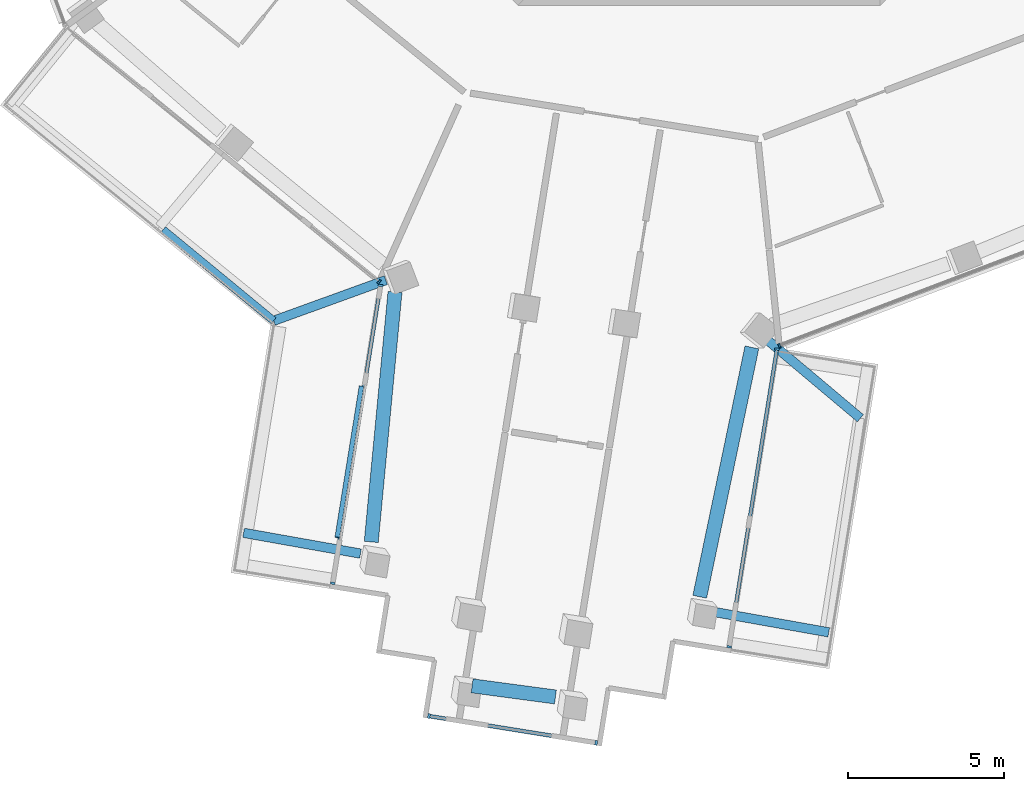
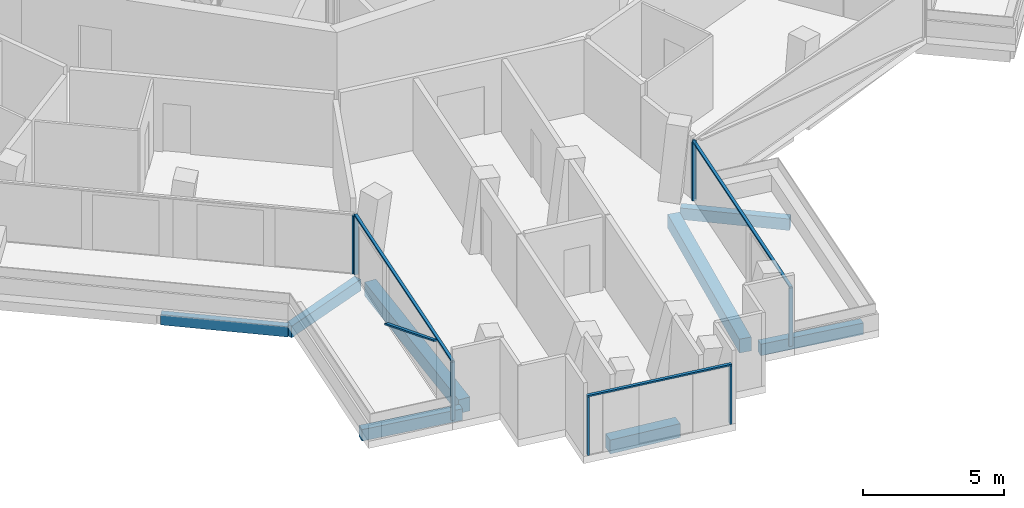
# One storey, part 2 of 23: 12 members, 8 beams, 5 elements without a shape of their own.
"""IFC4 building model written with IfcOpenShell, lengths in metres."""

from ifc_helpers import new_model, si_unit, direction, frame, origin, origin_2d, place, context, subcontext, project, spatial, rectangle, extrude, material, layer, layer_set, material_profile, profile_set, type_object, element, aggregate, save


model = new_model("IFC4")

# Units and contexts
model_context = context("Model", 3, precision=1e-05, world=origin(), true_north=direction((0.0, 1.0)))
body_context = subcontext(model_context, "Body", "Model", "MODEL_VIEW")
ifc_project = project(units=[si_unit("LENGTHUNIT", "METRE"), si_unit("AREAUNIT", "SQUARE_METRE"), si_unit("VOLUMEUNIT", "CUBIC_METRE"), si_unit("PLANEANGLEUNIT", "RADIAN"), si_unit("MASSUNIT", "GRAM", prefix="KILO")], contexts=[model_context])

# Site, building, storey
site_placement = place(None, origin())
site = spatial("IfcSite", under=ifc_project, at=site_placement, CompositionType="ELEMENT")
building_placement = place(site_placement, origin())
building = spatial("IfcBuilding", under=site, at=building_placement, Name="Verdalira Terraces Hotel", CompositionType="ELEMENT")
storey_placement = place(building_placement, frame((0.0, 0.0, 241.0)))
storey = spatial("IfcBuildingStorey", under=building, at=storey_placement, Name="L59", CompositionType="ELEMENT", Elevation=241.0)

# Beams
ifc_material_1 = material(Name="Concrete C40", Category="concrete")
ifc_material_profile_1 = material_profile(ifc_material_1, rectangle(XDim=0.300049, YDim=0.5, at=origin_2d()), Name="RC 300X500")
ifc_profile_set_1 = profile_set([ifc_material_profile_1], Name="Concrete C40")
beam_type_1 = type_object("IfcBeamType", Name="Balcony cantilever beam RC 300X500 C40", PredefinedType="BEAM", material=ifc_profile_set_1)
beam_1_placement = place(storey_placement, frame((-10.835693, -31.550537, -0.560059), z_axis=(-0.984564966, 0.175019504, 0.0), x_axis=(-0.175019504, -0.984564966, 0.0)))
element("IfcBeam", 1, at=beam_1_placement, inside=storey, type_object=beam_type_1, Name="Balcony cantilever beam R13-1", PredefinedType="BEAM", context=body_context, shape_type="SweptSolid", body=[
    extrude(rectangle(XDim=0.300049, YDim=0.5, at=origin_2d()), origin(), (0.0, 0.0, 1.0), 3.80249),
])
beam_2_placement = place(storey_placement, frame((-10.025146, -22.796143, -0.560059), z_axis=(-0.940164219, -0.340721649, 0.0), x_axis=(0.340721649, -0.940164219, 0.0)))
element("IfcBeam", 2, at=beam_2_placement, inside=storey, type_object=beam_type_1, Name="Balcony cantilever beam R13-4", PredefinedType="BEAM", context=body_context, shape_type="SweptSolid", body=[
    extrude(rectangle(XDim=0.300049, YDim=0.5, at=origin_2d()), origin(), (0.0, 0.0, 1.0), 3.819824),
])
beam_3_placement = place(storey_placement, frame((0.333252, -33.391602, -0.560059), z_axis=(0.984562267, -0.175034691, 0.0), x_axis=(0.175034691, 0.984562267, 0.0)))
element("IfcBeam", 3, at=beam_3_placement, inside=storey, type_object=beam_type_1, Name="Balcony cantilever beam R24-1", PredefinedType="BEAM", context=body_context, shape_type="SweptSolid", body=[
    extrude(rectangle(XDim=0.300049, YDim=0.5, at=origin_2d()), origin(), (0.0, 0.0, 1.0), 3.878906),
])
beam_4_placement = place(storey_placement, frame((2.143799, -24.673584, -0.560059), z_axis=(0.765162773, -0.643836882, 0.0), x_axis=(0.643836882, 0.765162773, 0.0)))
element("IfcBeam", 4, at=beam_4_placement, inside=storey, type_object=beam_type_1, Name="Balcony cantilever beam R24-2", PredefinedType="BEAM", context=body_context, shape_type="SweptSolid", body=[
    extrude(rectangle(XDim=0.300049, YDim=0.5, at=origin_2d()), origin(), (0.0, 0.0, 1.0), 3.950195),
])
ifc_material_2 = material(Name="Concrete C40", Category="concrete")
ifc_material_profile_2 = material_profile(ifc_material_2, rectangle(XDim=0.25, YDim=0.449951, at=origin_2d()), Name="RC 250X450")
ifc_profile_set_2 = profile_set([ifc_material_profile_2], Name="Concrete C40")
beam_type_2 = type_object("IfcBeamType", Name="Balcony edge beam RC 250X450 C40", PredefinedType="BEAM", material=ifc_profile_set_2)
beam_5_placement = place(storey_placement, frame((-17.156738, -21.182861, -0.534912), z_axis=(0.772008605, -0.635612078, 0.0), x_axis=(0.635612078, 0.772008605, 0.0)))
element("IfcBeam", 5, at=beam_5_placement, inside=storey, type_object=beam_type_2, Name="Balcony edge beam R13-2", PredefinedType="BEAM", context=body_context, shape_type="SweptSolid", body=[
    extrude(rectangle(XDim=0.25, YDim=0.449951, at=origin_2d()), origin(), (0.0, 0.0, 1.0), 4.585693),
])

# Curtain wall, member
ifc_material_3 = material(Name="Clear glass", Category="glass")
ifc_layer_1 = layer(ifc_material_3, 0.14990234375)
ifc_layer_set_1 = layer_set([ifc_layer_1], Name="CW1 curtain wall")
curtain_wall_type_1 = type_object("IfcCurtainWallType", Name="CW1 curtain wall", PredefinedType="NOTDEFINED", material=ifc_layer_set_1)
curtain_wall_1_placement = place(storey_placement, origin())
curtain_wall_1 = element("IfcCurtainWall", 6, at=curtain_wall_1_placement, inside=storey, type_object=curtain_wall_type_1, Name="CW1 curtain wall L59 edge 13", PredefinedType="NOTDEFINED")
ifc_material_4 = material(Name="Terracotta frame", Category="masonry")
ifc_material_profile_3 = material_profile(ifc_material_4, rectangle(XDim=0.060059, YDim=0.149902, at=origin_2d()), Name="MU 60x150")
ifc_profile_set_3 = profile_set([ifc_material_profile_3], Name="Terracotta frame")
member_type_1 = type_object("IfcMemberType", Name="CW1 mullion 60x150", PredefinedType="MULLION", material=ifc_profile_set_3)
member_1_placement = place(storey_placement, frame((-10.23877, -22.844238, 0.0), z_axis=(0.0, 0.0, 1.0), x_axis=(0.775826212, -0.63094666, 0.0)))
member_1 = element("IfcMember", 7, at=member_1_placement, type_object=member_type_1, Name="CW1 mullion", PredefinedType="MULLION", context=body_context, shape_type="SweptSolid", body=[
    extrude(rectangle(XDim=0.060059, YDim=0.149902, at=origin_2d()), origin(), (0.0, 0.0, 1.0), 2.524902),
])
aggregate(curtain_wall_1, [member_1])

curtain_wall_2_placement = place(storey_placement, origin())
curtain_wall_2 = element("IfcCurtainWall", 8, at=curtain_wall_2_placement, inside=storey, type_object=curtain_wall_type_1, Name="CW1 curtain wall L59 edge 25", PredefinedType="NOTDEFINED")
member_2_placement = place(storey_placement, frame((2.574219, -24.901123, 0.0), z_axis=(0.0, 0.0, 1.0), x_axis=(0.934328942, 0.356411879, 0.0)))
member_2 = element("IfcMember", 9, at=member_2_placement, type_object=member_type_1, Name="CW1 mullion", PredefinedType="MULLION", context=body_context, shape_type="SweptSolid", body=[
    extrude(rectangle(XDim=0.060059, YDim=0.149902, at=origin_2d()), origin(), (0.0, 0.0, 1.0), 2.524902),
])
aggregate(curtain_wall_2, [member_2])

# Curtain wall, members
ifc_material_5 = material(Name="Clear glass", Category="glass")
ifc_layer_2 = layer(ifc_material_5, 0.14990234375)
ifc_layer_set_2 = layer_set([ifc_layer_2], Name="CW2 curtain wall")
curtain_wall_type_2 = type_object("IfcCurtainWallType", Name="CW2 curtain wall", PredefinedType="NOTDEFINED", material=ifc_layer_set_2)
curtain_wall_3_placement = place(storey_placement, origin())
curtain_wall_3 = element("IfcCurtainWall", 10, at=curtain_wall_3_placement, inside=storey, type_object=curtain_wall_type_2, Name="CW2 curtain wall L59 edge 14", PredefinedType="NOTDEFINED")
ifc_material_6 = material(Name="Terracotta frame", Category="masonry")
ifc_material_profile_4 = material_profile(ifc_material_6, rectangle(XDim=0.070068, YDim=0.149902, at=origin_2d()), Name="MU 70x150")
ifc_profile_set_4 = profile_set([ifc_material_profile_4], Name="Terracotta frame")
member_type_2 = type_object("IfcMemberType", Name="CW2 mullion 70x150", PredefinedType="MULLION", material=ifc_profile_set_4)
member_3_placement = place(storey_placement, frame((-10.194336, -22.967773, 0.0), z_axis=(0.0, 0.0, 1.0), x_axis=(-0.15850273, -0.987358539, 0.0)))
member_3 = element("IfcMember", 11, at=member_3_placement, type_object=member_type_2, Name="CW2 mullion", PredefinedType="MULLION", context=body_context, shape_type="SweptSolid", body=[
    extrude(rectangle(XDim=0.070068, YDim=0.149902, at=origin_2d()), origin(), (0.0, 0.0, 1.0), 2.524902),
])
member_4_placement = place(storey_placement, frame((-11.724365, -32.498291, 0.0), z_axis=(0.0, 0.0, 1.0), x_axis=(-0.15850273, -0.987358539, 0.0)))
member_4 = element("IfcMember", 12, at=member_4_placement, type_object=member_type_2, Name="CW2 mullion", PredefinedType="MULLION", context=body_context, shape_type="SweptSolid", body=[
    extrude(rectangle(XDim=0.070068, YDim=0.149902, at=origin_2d()), origin(), (0.0, 0.0, 1.0), 2.524902),
])

curtain_wall_4_placement = place(storey_placement, origin())
curtain_wall_4 = element("IfcCurtainWall", 13, at=curtain_wall_4_placement, inside=storey, type_object=curtain_wall_type_2, Name="CW2 curtain wall L59 edge 24", PredefinedType="NOTDEFINED")
member_5_placement = place(storey_placement, frame((0.963379, -34.535156, 0.0), z_axis=(0.0, 0.0, 1.0), x_axis=(0.15850273, 0.987358539, 0.0)))
member_5 = element("IfcMember", 14, at=member_5_placement, type_object=member_type_2, Name="CW2 mullion", PredefinedType="MULLION", context=body_context, shape_type="SweptSolid", body=[
    extrude(rectangle(XDim=0.070068, YDim=0.149902, at=origin_2d()), origin(), (0.0, 0.0, 1.0), 2.524902),
])
member_6_placement = place(storey_placement, frame((2.493164, -25.004639, 0.0), z_axis=(0.0, 0.0, 1.0), x_axis=(0.15850273, 0.987358539, 0.0)))
member_6 = element("IfcMember", 15, at=member_6_placement, type_object=member_type_2, Name="CW2 mullion", PredefinedType="MULLION", context=body_context, shape_type="SweptSolid", body=[
    extrude(rectangle(XDim=0.070068, YDim=0.149902, at=origin_2d()), origin(), (0.0, 0.0, 1.0), 2.524902),
])

# Member
ifc_material_7 = material(Name="Terracotta frame", Category="masonry")
ifc_material_profile_5 = material_profile(ifc_material_7, rectangle(XDim=0.11499, YDim=0.064941, at=origin_2d()), Name="TR 65x115")
ifc_profile_set_5 = profile_set([ifc_material_profile_5], Name="Terracotta frame")
member_type_3 = type_object("IfcMemberType", Name="CW2 transom 65x115", PredefinedType="USERDEFINED", material=ifc_profile_set_5)
member_7_placement = place(storey_placement, frame((-10.188721, -22.93335, 2.557617), z_axis=(-0.158499749, -0.987359018, 0.0), x_axis=(0.987359018, -0.158499749, 0.0)))
member_7 = element("IfcMember", 16, at=member_7_placement, type_object=member_type_3, Name="CW2 transom", ObjectType="TRANSOM", PredefinedType="USERDEFINED", context=body_context, shape_type="SweptSolid", body=[
    extrude(rectangle(XDim=0.11499, YDim=0.064941, at=origin_2d()), origin(), (0.0, 0.0, 1.0), 9.722412),
])

member_8_placement = place(storey_placement, frame((0.957764, -34.56958, 2.557617), z_axis=(0.158499749, 0.987359018, 0.0), x_axis=(-0.987359018, 0.158499749, 0.0)))
member_8 = element("IfcMember", 17, at=member_8_placement, type_object=member_type_3, Name="CW2 transom", ObjectType="TRANSOM", PredefinedType="USERDEFINED", context=body_context, shape_type="SweptSolid", body=[
    extrude(rectangle(XDim=0.11499, YDim=0.064941, at=origin_2d()), origin(), (0.0, 0.0, 1.0), 9.722412),
])

aggregate(curtain_wall_4, [member_5, member_6, member_8])

# Curtain wall, members
ifc_material_8 = material(Name="Clear glass", Category="glass")
ifc_layer_3 = layer(ifc_material_8, 0.14990234375)
ifc_layer_set_3 = layer_set([ifc_layer_3], Name="CW3 curtain wall")
curtain_wall_type_3 = type_object("IfcCurtainWallType", Name="CW3 curtain wall", PredefinedType="NOTDEFINED", material=ifc_layer_set_3)
curtain_wall_5_placement = place(storey_placement, origin())
curtain_wall_5 = element("IfcCurtainWall", 18, at=curtain_wall_5_placement, inside=storey, type_object=curtain_wall_type_3, Name="CW3 curtain wall L59 edge 19", PredefinedType="NOTDEFINED")
ifc_material_9 = material(Name="Terracotta frame", Category="masonry")
ifc_material_profile_6 = material_profile(ifc_material_9, rectangle(XDim=0.080078, YDim=0.149902, at=origin_2d()), Name="MU 80x150")
ifc_profile_set_6 = profile_set([ifc_material_profile_6], Name="Terracotta frame")
member_type_4 = type_object("IfcMemberType", Name="CW3 mullion 80x150", PredefinedType="MULLION", material=ifc_profile_set_6)
member_9_placement = place(storey_placement, frame((-8.644287, -36.750244, 0.0), z_axis=(0.0, 0.0, 1.0), x_axis=(0.987358539, -0.15850273, 0.0)))
member_9 = element("IfcMember", 19, at=member_9_placement, type_object=member_type_4, Name="CW3 mullion", PredefinedType="MULLION", context=body_context, shape_type="SweptSolid", body=[
    extrude(rectangle(XDim=0.080078, YDim=0.149902, at=origin_2d()), origin(), (0.0, 0.0, 1.0), 2.524902),
])
member_10_placement = place(storey_placement, frame((-3.292725, -37.609375, 0.0), z_axis=(0.0, 0.0, 1.0), x_axis=(0.987358539, -0.15850273, 0.0)))
member_10 = element("IfcMember", 20, at=member_10_placement, type_object=member_type_4, Name="CW3 mullion", PredefinedType="MULLION", context=body_context, shape_type="SweptSolid", body=[
    extrude(rectangle(XDim=0.080078, YDim=0.149902, at=origin_2d()), origin(), (0.0, 0.0, 1.0), 2.524902),
])
ifc_material_10 = material(Name="Terracotta frame", Category="masonry")
ifc_material_profile_7 = material_profile(ifc_material_10, rectangle(XDim=0.120117, YDim=0.064941, at=origin_2d()), Name="TR 65x120")
ifc_profile_set_7 = profile_set([ifc_material_profile_7], Name="Terracotta frame")
member_type_5 = type_object("IfcMemberType", Name="CW3 transom 65x120", PredefinedType="USERDEFINED", material=ifc_profile_set_7)
member_11_placement = place(storey_placement, frame((-8.683838, -36.743896, 2.557617), z_axis=(0.987356561, -0.158515051, 0.0), x_axis=(0.158515051, 0.987356561, 0.0)))
member_11 = element("IfcMember", 21, at=member_11_placement, type_object=member_type_5, Name="CW3 transom", ObjectType="TRANSOM", PredefinedType="USERDEFINED", context=body_context, shape_type="SweptSolid", body=[
    extrude(rectangle(XDim=0.120117, YDim=0.064941, at=origin_2d()), origin(), (0.0, 0.0, 1.0), 5.5),
])
aggregate(curtain_wall_5, [member_9, member_10, member_11])

# Member
ifc_material_11 = material(Name="Terracotta frame", Category="masonry")
ifc_material_profile_8 = material_profile(ifc_material_11, rectangle(XDim=0.149902, YDim=0.060059, at=origin_2d()), Name="GB 60x150")
ifc_profile_set_8 = profile_set([ifc_material_profile_8], Name="Terracotta frame")
member_type_6 = type_object("IfcMemberType", Name="Diagonal glazing bar 60x150", PredefinedType="USERDEFINED", material=ifc_profile_set_8)
member_12_placement = place(storey_placement, frame((-10.805664, -26.20166, 0.027588), z_axis=(-0.141472337, -0.881440364, 0.450608991), x_axis=(0.987363294, -0.158473106, 0.0)))
member_12 = element("IfcMember", 22, at=member_12_placement, type_object=member_type_6, Name="Diagonal glazing bar", ObjectType="GLAZING BAR", PredefinedType="USERDEFINED", context=body_context, shape_type="SweptSolid", body=[
    extrude(rectangle(XDim=0.149902, YDim=0.060059, at=origin_2d()), origin(), (0.0, 0.0, 1.0), 5.480957),
])

aggregate(curtain_wall_3, [member_3, member_4, member_7, member_12])

# Beams
ifc_material_12 = material(Name="Concrete C40", Category="concrete")
ifc_material_profile_9 = material_profile(ifc_material_12, rectangle(XDim=0.449951, YDim=0.600098, at=origin_2d()), Name="RC 450X600")
ifc_profile_set_9 = profile_set([ifc_material_profile_9], Name="Concrete C40")
beam_type_3 = type_object("IfcBeamType", Name="Spandrel beam RC 450X600 C40", PredefinedType="SPANDREL", material=ifc_profile_set_9)
beam_6_placement = place(storey_placement, frame((-9.731934, -23.17627, -0.610107), z_axis=(-0.094704424, -0.995505436, 0.0), x_axis=(0.995505436, -0.094704424, 0.0)))
element("IfcBeam", 23, at=beam_6_placement, inside=storey, type_object=beam_type_3, Name="Spandrel beam B08", PredefinedType="SPANDREL", context=body_context, shape_type="SweptSolid", body=[
    extrude(rectangle(XDim=0.449951, YDim=0.600098, at=origin_2d()), origin(), (0.0, 0.0, 1.0), 8.0354),
])
beam_7_placement = place(storey_placement, frame((-7.26416, -35.782715, -0.610107), z_axis=(0.991182694, -0.132502326, 0.0), x_axis=(0.132502326, 0.991182694, 0.0)))
element("IfcBeam", 24, at=beam_7_placement, inside=storey, type_object=beam_type_3, Name="Spandrel beam B09", PredefinedType="SPANDREL", context=body_context, shape_type="SweptSolid", body=[
    extrude(rectangle(XDim=0.449951, YDim=0.600098, at=origin_2d()), origin(), (0.0, 0.0, 1.0), 2.691895),
])
beam_8_placement = place(storey_placement, frame((0.022705, -32.931885, -0.610107), z_axis=(0.204663069, 0.978832482, 0.0), x_axis=(-0.978832482, 0.204663069, 0.0)))
element("IfcBeam", 25, at=beam_8_placement, inside=storey, type_object=beam_type_3, Name="Spandrel beam B10", PredefinedType="SPANDREL", context=body_context, shape_type="SweptSolid", body=[
    extrude(rectangle(XDim=0.449951, YDim=0.600098, at=origin_2d()), origin(), (0.0, 0.0, 1.0), 8.155762),
])

save(model, "model.ifc")
